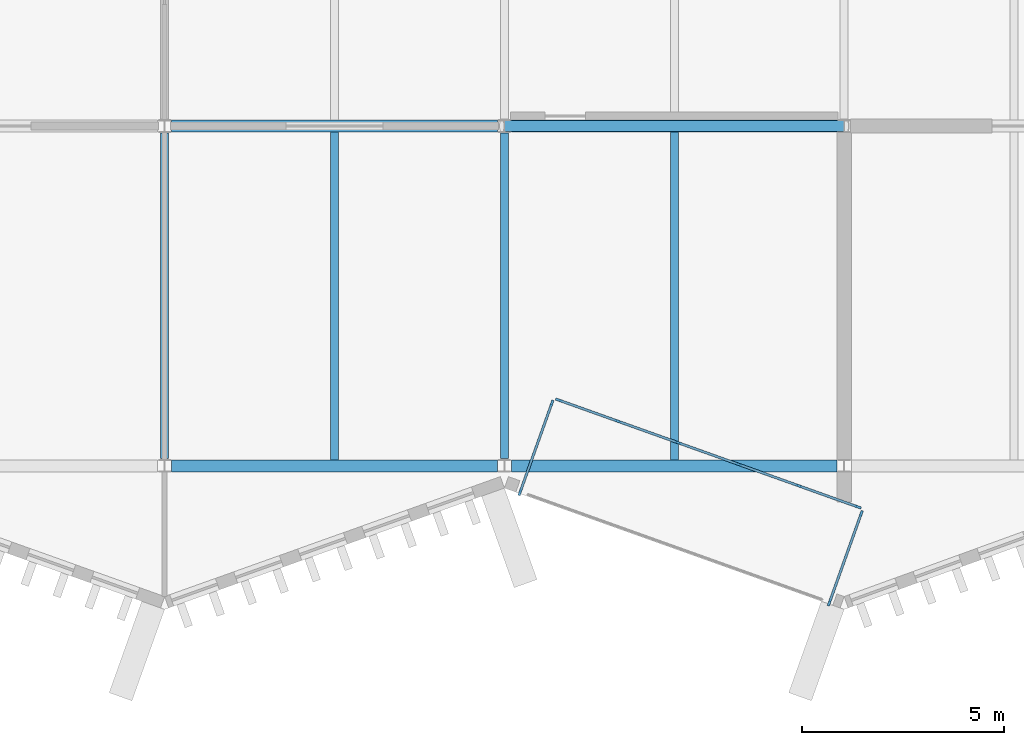
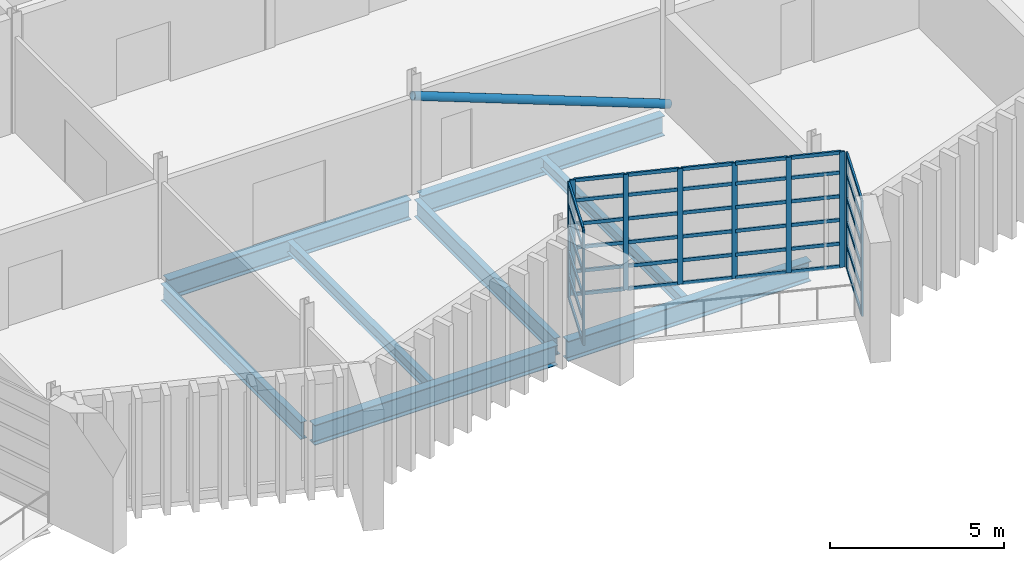
# One storey, part 16 of 100: 53 members, 8 beams, 3 elements without a shape of their own.
"""IFC4 building model written with IfcOpenShell, lengths in metres."""

from ifc_helpers import new_model, si_unit, direction, frame, origin, origin_2d, place, context, subcontext, project, spatial, rectangle, hollow_circle, i_section, extrude, material, layer, layer_set, material_profile, profile_set, type_object, element, aggregate, save


model = new_model("IFC4")

# Units and contexts
model_context = context("Model", 3, precision=1e-05, world=origin(), true_north=direction((0.0, 1.0)))
body_context = subcontext(model_context, "Body", "Model", "MODEL_VIEW")
ifc_project = project(units=[si_unit("LENGTHUNIT", "METRE"), si_unit("AREAUNIT", "SQUARE_METRE"), si_unit("VOLUMEUNIT", "CUBIC_METRE"), si_unit("PLANEANGLEUNIT", "RADIAN"), si_unit("MASSUNIT", "GRAM", prefix="KILO")], contexts=[model_context])

# Site, building, storey
site_placement = place(None, origin())
site = spatial("IfcSite", under=ifc_project, at=site_placement, CompositionType="ELEMENT")
building_placement = place(site_placement, origin())
building = spatial("IfcBuilding", under=site, at=building_placement, Name="Cresset Court Congress Hotel", CompositionType="ELEMENT")
storey_placement = place(building_placement, frame((0.0, 0.0, 10.199951171875)))
storey = spatial("IfcBuildingStorey", under=building, at=storey_placement, Name="L02", CompositionType="ELEMENT", Elevation=10.199951171875)

# Curtain wall, members
ifc_material_1 = material(Name="Aluminium frame with double glazing", Category="aluminium")
ifc_layer = layer(ifc_material_1, 0.199951171875)
ifc_layer_set = layer_set([ifc_layer], Name="Glazed box curtain wall 1680 module")
curtain_wall_type = type_object("IfcCurtainWallType", Name="Glazed box curtain wall 1680 module", PredefinedType="NOTDEFINED", material=ifc_layer_set)
curtain_wall_1_placement = place(storey_placement, origin())
curtain_wall_1 = element("IfcCurtainWall", 1, at=curtain_wall_1_placement, inside=storey, type_object=curtain_wall_type, Name="Glazed box S0207 front", PredefinedType="NOTDEFINED")
ifc_material_2 = material(Name="Aluminium", Category="aluminium")
ifc_material_profile_1 = material_profile(ifc_material_2, rectangle(XDim=0.06005859375, YDim=0.159912109375, at=origin_2d()), Name="Box mullion 60x160")
ifc_profile_set_1 = profile_set([ifc_material_profile_1], Name="Aluminium")
member_type_1 = type_object("IfcMemberType", Name="Box mullion 60x160", PredefinedType="MULLION", material=ifc_profile_set_1)
member_1_placement = place(storey_placement, frame((51.739990234375, 1.6259765625, 0.0), z_axis=(0.0, 0.0, 1.0), x_axis=(0.336336396981, 0.941741911601, 0.0)))
member_1 = element("IfcMember", 2, at=member_1_placement, type_object=member_type_1, Name="B-X1 mullion 1", PredefinedType="MULLION", context=body_context, shape_type="SweptSolid", body=[
    extrude(rectangle(XDim=0.06005859375, YDim=0.159912109375, at=origin_2d()), origin(), (0.0, 0.0, 1.0), 4.050048828125),
])
member_2_placement = place(storey_placement, frame((53.203369140625, 1.103515625, 0.0), z_axis=(0.0, 0.0, 1.0), x_axis=(0.336336396981, 0.941741911601, 0.0)))
member_2 = element("IfcMember", 3, at=member_2_placement, type_object=member_type_1, Name="B-X1 mullion 2", PredefinedType="MULLION", context=body_context, shape_type="SweptSolid", body=[
    extrude(rectangle(XDim=0.06005859375, YDim=0.159912109375, at=origin_2d()), origin(), (0.0, 0.0, 1.0), 4.050048828125),
])
member_3_placement = place(storey_placement, frame((54.695068359375, 0.57080078125, 0.0), z_axis=(0.0, 0.0, 1.0), x_axis=(0.336336396981, 0.941741911601, 0.0)))
member_3 = element("IfcMember", 4, at=member_3_placement, type_object=member_type_1, Name="B-X1 mullion 3", PredefinedType="MULLION", context=body_context, shape_type="SweptSolid", body=[
    extrude(rectangle(XDim=0.06005859375, YDim=0.159912109375, at=origin_2d()), origin(), (0.0, 0.0, 1.0), 4.050048828125),
])
member_4_placement = place(storey_placement, frame((56.186767578125, 0.0380859375, 0.0), z_axis=(0.0, 0.0, 1.0), x_axis=(0.336336396981, 0.941741911601, 0.0)))
member_4 = element("IfcMember", 5, at=member_4_placement, type_object=member_type_1, Name="B-X1 mullion 4", PredefinedType="MULLION", context=body_context, shape_type="SweptSolid", body=[
    extrude(rectangle(XDim=0.06005859375, YDim=0.159912109375, at=origin_2d()), origin(), (0.0, 0.0, 1.0), 4.050048828125),
])
member_5_placement = place(storey_placement, frame((57.67822265625, -0.49462890625, 0.0), z_axis=(0.0, 0.0, 1.0), x_axis=(0.336336396981, 0.941741911601, 0.0)))
member_5 = element("IfcMember", 6, at=member_5_placement, type_object=member_type_1, Name="B-X1 mullion 5", PredefinedType="MULLION", context=body_context, shape_type="SweptSolid", body=[
    extrude(rectangle(XDim=0.06005859375, YDim=0.159912109375, at=origin_2d()), origin(), (0.0, 0.0, 1.0), 4.050048828125),
])
member_6_placement = place(storey_placement, frame((59.1416015625, -1.017333984375, 0.0), z_axis=(0.0, 0.0, 1.0), x_axis=(0.336336396981, 0.941741911601, 0.0)))
member_6 = element("IfcMember", 7, at=member_6_placement, type_object=member_type_1, Name="B-X1 mullion 6", PredefinedType="MULLION", context=body_context, shape_type="SweptSolid", body=[
    extrude(rectangle(XDim=0.06005859375, YDim=0.159912109375, at=origin_2d()), origin(), (0.0, 0.0, 1.0), 4.050048828125),
])

curtain_wall_2_placement = place(storey_placement, origin())
curtain_wall_2 = element("IfcCurtainWall", 8, at=curtain_wall_2_placement, inside=storey, type_object=curtain_wall_type, Name="Glazed box S0207 side", PredefinedType="NOTDEFINED")
member_7_placement = place(storey_placement, frame((50.786865234375, -0.65625, 0.0), z_axis=(0.0, 0.0, 1.0), x_axis=(-0.941741911707, 0.336336396685, 0.0)))
member_7 = element("IfcMember", 9, at=member_7_placement, type_object=member_type_1, Name="B-X1 mullion 1", PredefinedType="MULLION", context=body_context, shape_type="SweptSolid", body=[
    extrude(rectangle(XDim=0.06005859375, YDim=0.159912109375, at=origin_2d()), origin(), (0.0, 0.0, 1.0), 4.050048828125),
])
member_8_placement = place(storey_placement, frame((51.57373046875, 1.54736328125, 0.0), z_axis=(0.0, 0.0, 1.0), x_axis=(-0.941741911707, 0.336336396685, 0.0)))
member_8 = element("IfcMember", 10, at=member_8_placement, type_object=member_type_1, Name="B-X1 mullion 2", PredefinedType="MULLION", context=body_context, shape_type="SweptSolid", body=[
    extrude(rectangle(XDim=0.06005859375, YDim=0.159912109375, at=origin_2d()), origin(), (0.0, 0.0, 1.0), 4.050048828125),
])

curtain_wall_3_placement = place(storey_placement, origin())
curtain_wall_3 = element("IfcCurtainWall", 11, at=curtain_wall_3_placement, inside=storey, type_object=curtain_wall_type, Name="Glazed box S0207 side", PredefinedType="NOTDEFINED")
member_9_placement = place(storey_placement, frame((58.433349609375, -3.38720703125, 0.0), z_axis=(0.0, 0.0, 1.0), x_axis=(-0.941741911578, 0.336336397047, 0.0)))
member_9 = element("IfcMember", 12, at=member_9_placement, type_object=member_type_1, Name="B-X1 mullion 1", PredefinedType="MULLION", context=body_context, shape_type="SweptSolid", body=[
    extrude(rectangle(XDim=0.06005859375, YDim=0.159912109375, at=origin_2d()), origin(), (0.0, 0.0, 1.0), 4.050048828125),
])
member_10_placement = place(storey_placement, frame((59.220458984375, -1.18359375, 0.0), z_axis=(0.0, 0.0, 1.0), x_axis=(-0.941741911578, 0.336336397047, 0.0)))
member_10 = element("IfcMember", 13, at=member_10_placement, type_object=member_type_1, Name="B-X1 mullion 2", PredefinedType="MULLION", context=body_context, shape_type="SweptSolid", body=[
    extrude(rectangle(XDim=0.06005859375, YDim=0.159912109375, at=origin_2d()), origin(), (0.0, 0.0, 1.0), 4.050048828125),
])

# Member
ifc_material_3 = material(Name="Aluminium", Category="aluminium")
ifc_material_profile_2 = material_profile(ifc_material_3, rectangle(XDim=0.06005859375, YDim=0.1201171875, at=origin_2d()), Name="Box transom 60x120")
ifc_profile_set_2 = profile_set([ifc_material_profile_2], Name="Aluminium")
member_type_2 = type_object("IfcMemberType", Name="Box transom 60x120", PredefinedType="USERDEFINED", material=ifc_profile_set_2)
member_11_placement = place(storey_placement, frame((51.768310546875, 1.615966796875, 0.030029296875), z_axis=(0.941734515945, -0.336357104098, 0.0), x_axis=(0.336357104098, 0.941734515945, 0.0)))
member_11 = element("IfcMember", 14, at=member_11_placement, type_object=member_type_2, Name="B-X1 transom 1.1", ObjectType="TRANSOM", PredefinedType="USERDEFINED", context=body_context, shape_type="SweptSolid", body=[
    extrude(rectangle(XDim=0.06005859375, YDim=0.1201171875, at=origin_2d()), origin(), (0.0, 0.0, 1.0), 1.49365234375),
])

member_12_placement = place(storey_placement, frame((51.768310546875, 1.615966796875, 0.830078125), z_axis=(0.941734515945, -0.336357104098, 0.0), x_axis=(0.336357104098, 0.941734515945, 0.0)))
member_12 = element("IfcMember", 15, at=member_12_placement, type_object=member_type_2, Name="B-X1 transom 1.2", ObjectType="TRANSOM", PredefinedType="USERDEFINED", context=body_context, shape_type="SweptSolid", body=[
    extrude(rectangle(XDim=0.06005859375, YDim=0.1201171875, at=origin_2d()), origin(), (0.0, 0.0, 1.0), 1.49365234375),
])

member_13_placement = place(storey_placement, frame((51.768310546875, 1.615966796875, 1.66015625), z_axis=(0.941734515945, -0.336357104098, 0.0), x_axis=(0.336357104098, 0.941734515945, 0.0)))
member_13 = element("IfcMember", 16, at=member_13_placement, type_object=member_type_2, Name="B-X1 transom 1.3", ObjectType="TRANSOM", PredefinedType="USERDEFINED", context=body_context, shape_type="SweptSolid", body=[
    extrude(rectangle(XDim=0.06005859375, YDim=0.1201171875, at=origin_2d()), origin(), (0.0, 0.0, 1.0), 1.49365234375),
])

member_14_placement = place(storey_placement, frame((51.768310546875, 1.615966796875, 2.489990234375), z_axis=(0.941734515945, -0.336357104098, 0.0), x_axis=(0.336357104098, 0.941734515945, 0.0)))
member_14 = element("IfcMember", 17, at=member_14_placement, type_object=member_type_2, Name="B-X1 transom 1.4", ObjectType="TRANSOM", PredefinedType="USERDEFINED", context=body_context, shape_type="SweptSolid", body=[
    extrude(rectangle(XDim=0.06005859375, YDim=0.1201171875, at=origin_2d()), origin(), (0.0, 0.0, 1.0), 1.49365234375),
])

member_15_placement = place(storey_placement, frame((51.768310546875, 1.615966796875, 3.320068359375), z_axis=(0.941734515945, -0.336357104098, 0.0), x_axis=(0.336357104098, 0.941734515945, 0.0)))
member_15 = element("IfcMember", 18, at=member_15_placement, type_object=member_type_2, Name="B-X1 transom 1.5", ObjectType="TRANSOM", PredefinedType="USERDEFINED", context=body_context, shape_type="SweptSolid", body=[
    extrude(rectangle(XDim=0.06005859375, YDim=0.1201171875, at=origin_2d()), origin(), (0.0, 0.0, 1.0), 1.49365234375),
])

member_16_placement = place(storey_placement, frame((51.768310546875, 1.615966796875, 4.02001953125), z_axis=(0.941734515945, -0.336357104098, 0.0), x_axis=(0.336357104098, 0.941734515945, 0.0)))
member_16 = element("IfcMember", 19, at=member_16_placement, type_object=member_type_2, Name="B-X1 transom 1.6", ObjectType="TRANSOM", PredefinedType="USERDEFINED", context=body_context, shape_type="SweptSolid", body=[
    extrude(rectangle(XDim=0.06005859375, YDim=0.1201171875, at=origin_2d()), origin(), (0.0, 0.0, 1.0), 1.49365234375),
])

member_17_placement = place(storey_placement, frame((53.231689453125, 1.09326171875, 0.030029296875), z_axis=(0.941756410009, -0.336295798675, 0.0), x_axis=(0.336295798675, 0.941756410009, 0.0)))
member_17 = element("IfcMember", 20, at=member_17_placement, type_object=member_type_2, Name="B-X1 transom 2.1", ObjectType="TRANSOM", PredefinedType="USERDEFINED", context=body_context, shape_type="SweptSolid", body=[
    extrude(rectangle(XDim=0.06005859375, YDim=0.1201171875, at=origin_2d()), origin(), (0.0, 0.0, 1.0), 1.52392578125),
])

member_18_placement = place(storey_placement, frame((53.231689453125, 1.09326171875, 0.830078125), z_axis=(0.941756410009, -0.336295798675, 0.0), x_axis=(0.336295798675, 0.941756410009, 0.0)))
member_18 = element("IfcMember", 21, at=member_18_placement, type_object=member_type_2, Name="B-X1 transom 2.2", ObjectType="TRANSOM", PredefinedType="USERDEFINED", context=body_context, shape_type="SweptSolid", body=[
    extrude(rectangle(XDim=0.06005859375, YDim=0.1201171875, at=origin_2d()), origin(), (0.0, 0.0, 1.0), 1.52392578125),
])

member_19_placement = place(storey_placement, frame((53.231689453125, 1.09326171875, 1.66015625), z_axis=(0.941756410009, -0.336295798675, 0.0), x_axis=(0.336295798675, 0.941756410009, 0.0)))
member_19 = element("IfcMember", 22, at=member_19_placement, type_object=member_type_2, Name="B-X1 transom 2.3", ObjectType="TRANSOM", PredefinedType="USERDEFINED", context=body_context, shape_type="SweptSolid", body=[
    extrude(rectangle(XDim=0.06005859375, YDim=0.1201171875, at=origin_2d()), origin(), (0.0, 0.0, 1.0), 1.52392578125),
])

member_20_placement = place(storey_placement, frame((53.231689453125, 1.09326171875, 2.489990234375), z_axis=(0.941756410009, -0.336295798675, 0.0), x_axis=(0.336295798675, 0.941756410009, 0.0)))
member_20 = element("IfcMember", 23, at=member_20_placement, type_object=member_type_2, Name="B-X1 transom 2.4", ObjectType="TRANSOM", PredefinedType="USERDEFINED", context=body_context, shape_type="SweptSolid", body=[
    extrude(rectangle(XDim=0.06005859375, YDim=0.1201171875, at=origin_2d()), origin(), (0.0, 0.0, 1.0), 1.52392578125),
])

member_21_placement = place(storey_placement, frame((53.231689453125, 1.09326171875, 3.320068359375), z_axis=(0.941756410009, -0.336295798675, 0.0), x_axis=(0.336295798675, 0.941756410009, 0.0)))
member_21 = element("IfcMember", 24, at=member_21_placement, type_object=member_type_2, Name="B-X1 transom 2.5", ObjectType="TRANSOM", PredefinedType="USERDEFINED", context=body_context, shape_type="SweptSolid", body=[
    extrude(rectangle(XDim=0.06005859375, YDim=0.1201171875, at=origin_2d()), origin(), (0.0, 0.0, 1.0), 1.52392578125),
])

member_22_placement = place(storey_placement, frame((53.231689453125, 1.09326171875, 4.02001953125), z_axis=(0.941756410009, -0.336295798675, 0.0), x_axis=(0.336295798675, 0.941756410009, 0.0)))
member_22 = element("IfcMember", 25, at=member_22_placement, type_object=member_type_2, Name="B-X1 transom 2.6", ObjectType="TRANSOM", PredefinedType="USERDEFINED", context=body_context, shape_type="SweptSolid", body=[
    extrude(rectangle(XDim=0.06005859375, YDim=0.1201171875, at=origin_2d()), origin(), (0.0, 0.0, 1.0), 1.52392578125),
])

member_23_placement = place(storey_placement, frame((54.723388671875, 0.560546875, 0.030029296875), z_axis=(0.941756410009, -0.336295798675, 0.0), x_axis=(0.336295798675, 0.941756410009, 0.0)))
member_23 = element("IfcMember", 26, at=member_23_placement, type_object=member_type_2, Name="B-X1 transom 3.1", ObjectType="TRANSOM", PredefinedType="USERDEFINED", context=body_context, shape_type="SweptSolid", body=[
    extrude(rectangle(XDim=0.06005859375, YDim=0.1201171875, at=origin_2d()), origin(), (0.0, 0.0, 1.0), 1.52392578125),
])

member_24_placement = place(storey_placement, frame((54.723388671875, 0.560546875, 0.830078125), z_axis=(0.941756410009, -0.336295798675, 0.0), x_axis=(0.336295798675, 0.941756410009, 0.0)))
member_24 = element("IfcMember", 27, at=member_24_placement, type_object=member_type_2, Name="B-X1 transom 3.2", ObjectType="TRANSOM", PredefinedType="USERDEFINED", context=body_context, shape_type="SweptSolid", body=[
    extrude(rectangle(XDim=0.06005859375, YDim=0.1201171875, at=origin_2d()), origin(), (0.0, 0.0, 1.0), 1.52392578125),
])

member_25_placement = place(storey_placement, frame((54.723388671875, 0.560546875, 1.66015625), z_axis=(0.941756410009, -0.336295798675, 0.0), x_axis=(0.336295798675, 0.941756410009, 0.0)))
member_25 = element("IfcMember", 28, at=member_25_placement, type_object=member_type_2, Name="B-X1 transom 3.3", ObjectType="TRANSOM", PredefinedType="USERDEFINED", context=body_context, shape_type="SweptSolid", body=[
    extrude(rectangle(XDim=0.06005859375, YDim=0.1201171875, at=origin_2d()), origin(), (0.0, 0.0, 1.0), 1.52392578125),
])

member_26_placement = place(storey_placement, frame((54.723388671875, 0.560546875, 2.489990234375), z_axis=(0.941756410009, -0.336295798675, 0.0), x_axis=(0.336295798675, 0.941756410009, 0.0)))
member_26 = element("IfcMember", 29, at=member_26_placement, type_object=member_type_2, Name="B-X1 transom 3.4", ObjectType="TRANSOM", PredefinedType="USERDEFINED", context=body_context, shape_type="SweptSolid", body=[
    extrude(rectangle(XDim=0.06005859375, YDim=0.1201171875, at=origin_2d()), origin(), (0.0, 0.0, 1.0), 1.52392578125),
])

member_27_placement = place(storey_placement, frame((54.723388671875, 0.560546875, 3.320068359375), z_axis=(0.941756410009, -0.336295798675, 0.0), x_axis=(0.336295798675, 0.941756410009, 0.0)))
member_27 = element("IfcMember", 30, at=member_27_placement, type_object=member_type_2, Name="B-X1 transom 3.5", ObjectType="TRANSOM", PredefinedType="USERDEFINED", context=body_context, shape_type="SweptSolid", body=[
    extrude(rectangle(XDim=0.06005859375, YDim=0.1201171875, at=origin_2d()), origin(), (0.0, 0.0, 1.0), 1.52392578125),
])

member_28_placement = place(storey_placement, frame((54.723388671875, 0.560546875, 4.02001953125), z_axis=(0.941756410009, -0.336295798675, 0.0), x_axis=(0.336295798675, 0.941756410009, 0.0)))
member_28 = element("IfcMember", 31, at=member_28_placement, type_object=member_type_2, Name="B-X1 transom 3.6", ObjectType="TRANSOM", PredefinedType="USERDEFINED", context=body_context, shape_type="SweptSolid", body=[
    extrude(rectangle(XDim=0.06005859375, YDim=0.1201171875, at=origin_2d()), origin(), (0.0, 0.0, 1.0), 1.52392578125),
])

member_29_placement = place(storey_placement, frame((56.21484375, 0.02783203125, 0.030029296875), z_axis=(0.941774525646, -0.336245063673, 0.0), x_axis=(0.336245063673, 0.941774525646, 0.0)))
member_29 = element("IfcMember", 32, at=member_29_placement, type_object=member_type_2, Name="B-X1 transom 4.1", ObjectType="TRANSOM", PredefinedType="USERDEFINED", context=body_context, shape_type="SweptSolid", body=[
    extrude(rectangle(XDim=0.06005859375, YDim=0.1201171875, at=origin_2d()), origin(), (0.0, 0.0, 1.0), 1.52392578125),
])

member_30_placement = place(storey_placement, frame((56.21484375, 0.02783203125, 0.830078125), z_axis=(0.941774525646, -0.336245063673, 0.0), x_axis=(0.336245063673, 0.941774525646, 0.0)))
member_30 = element("IfcMember", 33, at=member_30_placement, type_object=member_type_2, Name="B-X1 transom 4.2", ObjectType="TRANSOM", PredefinedType="USERDEFINED", context=body_context, shape_type="SweptSolid", body=[
    extrude(rectangle(XDim=0.06005859375, YDim=0.1201171875, at=origin_2d()), origin(), (0.0, 0.0, 1.0), 1.52392578125),
])

member_31_placement = place(storey_placement, frame((56.21484375, 0.02783203125, 1.66015625), z_axis=(0.941774525646, -0.336245063673, 0.0), x_axis=(0.336245063673, 0.941774525646, 0.0)))
member_31 = element("IfcMember", 34, at=member_31_placement, type_object=member_type_2, Name="B-X1 transom 4.3", ObjectType="TRANSOM", PredefinedType="USERDEFINED", context=body_context, shape_type="SweptSolid", body=[
    extrude(rectangle(XDim=0.06005859375, YDim=0.1201171875, at=origin_2d()), origin(), (0.0, 0.0, 1.0), 1.52392578125),
])

member_32_placement = place(storey_placement, frame((56.21484375, 0.02783203125, 2.489990234375), z_axis=(0.941774525646, -0.336245063673, 0.0), x_axis=(0.336245063673, 0.941774525646, 0.0)))
member_32 = element("IfcMember", 35, at=member_32_placement, type_object=member_type_2, Name="B-X1 transom 4.4", ObjectType="TRANSOM", PredefinedType="USERDEFINED", context=body_context, shape_type="SweptSolid", body=[
    extrude(rectangle(XDim=0.06005859375, YDim=0.1201171875, at=origin_2d()), origin(), (0.0, 0.0, 1.0), 1.52392578125),
])

member_33_placement = place(storey_placement, frame((56.21484375, 0.02783203125, 3.320068359375), z_axis=(0.941774525646, -0.336245063673, 0.0), x_axis=(0.336245063673, 0.941774525646, 0.0)))
member_33 = element("IfcMember", 36, at=member_33_placement, type_object=member_type_2, Name="B-X1 transom 4.5", ObjectType="TRANSOM", PredefinedType="USERDEFINED", context=body_context, shape_type="SweptSolid", body=[
    extrude(rectangle(XDim=0.06005859375, YDim=0.1201171875, at=origin_2d()), origin(), (0.0, 0.0, 1.0), 1.52392578125),
])

member_34_placement = place(storey_placement, frame((56.21484375, 0.02783203125, 4.02001953125), z_axis=(0.941774525646, -0.336245063673, 0.0), x_axis=(0.336245063673, 0.941774525646, 0.0)))
member_34 = element("IfcMember", 37, at=member_34_placement, type_object=member_type_2, Name="B-X1 transom 4.6", ObjectType="TRANSOM", PredefinedType="USERDEFINED", context=body_context, shape_type="SweptSolid", body=[
    extrude(rectangle(XDim=0.06005859375, YDim=0.1201171875, at=origin_2d()), origin(), (0.0, 0.0, 1.0), 1.52392578125),
])

member_35_placement = place(storey_placement, frame((57.70654296875, -0.5048828125, 0.030029296875), z_axis=(0.941753002509, -0.336305340823, 0.0), x_axis=(0.336305340823, 0.941753002509, 0.0)))
member_35 = element("IfcMember", 38, at=member_35_placement, type_object=member_type_2, Name="B-X1 transom 5.1", ObjectType="TRANSOM", PredefinedType="USERDEFINED", context=body_context, shape_type="SweptSolid", body=[
    extrude(rectangle(XDim=0.06005859375, YDim=0.1201171875, at=origin_2d()), origin(), (0.0, 0.0, 1.0), 1.493896484375),
])

member_36_placement = place(storey_placement, frame((57.70654296875, -0.5048828125, 0.830078125), z_axis=(0.941753002509, -0.336305340823, 0.0), x_axis=(0.336305340823, 0.941753002509, 0.0)))
member_36 = element("IfcMember", 39, at=member_36_placement, type_object=member_type_2, Name="B-X1 transom 5.2", ObjectType="TRANSOM", PredefinedType="USERDEFINED", context=body_context, shape_type="SweptSolid", body=[
    extrude(rectangle(XDim=0.06005859375, YDim=0.1201171875, at=origin_2d()), origin(), (0.0, 0.0, 1.0), 1.493896484375),
])

member_37_placement = place(storey_placement, frame((57.70654296875, -0.5048828125, 1.66015625), z_axis=(0.941753002509, -0.336305340823, 0.0), x_axis=(0.336305340823, 0.941753002509, 0.0)))
member_37 = element("IfcMember", 40, at=member_37_placement, type_object=member_type_2, Name="B-X1 transom 5.3", ObjectType="TRANSOM", PredefinedType="USERDEFINED", context=body_context, shape_type="SweptSolid", body=[
    extrude(rectangle(XDim=0.06005859375, YDim=0.1201171875, at=origin_2d()), origin(), (0.0, 0.0, 1.0), 1.493896484375),
])

member_38_placement = place(storey_placement, frame((57.70654296875, -0.5048828125, 2.489990234375), z_axis=(0.941753002509, -0.336305340823, 0.0), x_axis=(0.336305340823, 0.941753002509, 0.0)))
member_38 = element("IfcMember", 41, at=member_38_placement, type_object=member_type_2, Name="B-X1 transom 5.4", ObjectType="TRANSOM", PredefinedType="USERDEFINED", context=body_context, shape_type="SweptSolid", body=[
    extrude(rectangle(XDim=0.06005859375, YDim=0.1201171875, at=origin_2d()), origin(), (0.0, 0.0, 1.0), 1.493896484375),
])

member_39_placement = place(storey_placement, frame((57.70654296875, -0.5048828125, 3.320068359375), z_axis=(0.941753002509, -0.336305340823, 0.0), x_axis=(0.336305340823, 0.941753002509, 0.0)))
member_39 = element("IfcMember", 42, at=member_39_placement, type_object=member_type_2, Name="B-X1 transom 5.5", ObjectType="TRANSOM", PredefinedType="USERDEFINED", context=body_context, shape_type="SweptSolid", body=[
    extrude(rectangle(XDim=0.06005859375, YDim=0.1201171875, at=origin_2d()), origin(), (0.0, 0.0, 1.0), 1.493896484375),
])

member_40_placement = place(storey_placement, frame((57.70654296875, -0.5048828125, 4.02001953125), z_axis=(0.941753002509, -0.336305340823, 0.0), x_axis=(0.336305340823, 0.941753002509, 0.0)))
member_40 = element("IfcMember", 43, at=member_40_placement, type_object=member_type_2, Name="B-X1 transom 5.6", ObjectType="TRANSOM", PredefinedType="USERDEFINED", context=body_context, shape_type="SweptSolid", body=[
    extrude(rectangle(XDim=0.06005859375, YDim=0.1201171875, at=origin_2d()), origin(), (0.0, 0.0, 1.0), 1.493896484375),
])

aggregate(curtain_wall_1, [member_1, member_2, member_3, member_4, member_5, member_6, member_11, member_12, member_13, member_14, member_15, member_16, member_17, member_18, member_19, member_20, member_21, member_22, member_23, member_24, member_25, member_26, member_27, member_28, member_29, member_30, member_31, member_32, member_33, member_34, member_35, member_36, member_37, member_38, member_39, member_40])

member_41_placement = place(storey_placement, frame((50.796875, -0.6279296875, 0.030029296875), z_axis=(0.336363532289, 0.941732219979, 0.0), x_axis=(-0.941732219979, 0.336363532289, 0.0)))
member_41 = element("IfcMember", 44, at=member_41_placement, type_object=member_type_2, Name="B-X1 transom 1.1", ObjectType="TRANSOM", PredefinedType="USERDEFINED", context=body_context, shape_type="SweptSolid", body=[
    extrude(rectangle(XDim=0.06005859375, YDim=0.1201171875, at=origin_2d()), origin(), (0.0, 0.0, 1.0), 2.27978515625),
])

member_42_placement = place(storey_placement, frame((50.796875, -0.6279296875, 0.830078125), z_axis=(0.336363532289, 0.941732219979, 0.0), x_axis=(-0.941732219979, 0.336363532289, 0.0)))
member_42 = element("IfcMember", 45, at=member_42_placement, type_object=member_type_2, Name="B-X1 transom 1.2", ObjectType="TRANSOM", PredefinedType="USERDEFINED", context=body_context, shape_type="SweptSolid", body=[
    extrude(rectangle(XDim=0.06005859375, YDim=0.1201171875, at=origin_2d()), origin(), (0.0, 0.0, 1.0), 2.27978515625),
])

member_43_placement = place(storey_placement, frame((50.796875, -0.6279296875, 1.66015625), z_axis=(0.336363532289, 0.941732219979, 0.0), x_axis=(-0.941732219979, 0.336363532289, 0.0)))
member_43 = element("IfcMember", 46, at=member_43_placement, type_object=member_type_2, Name="B-X1 transom 1.3", ObjectType="TRANSOM", PredefinedType="USERDEFINED", context=body_context, shape_type="SweptSolid", body=[
    extrude(rectangle(XDim=0.06005859375, YDim=0.1201171875, at=origin_2d()), origin(), (0.0, 0.0, 1.0), 2.27978515625),
])

member_44_placement = place(storey_placement, frame((50.796875, -0.6279296875, 2.489990234375), z_axis=(0.336363532289, 0.941732219979, 0.0), x_axis=(-0.941732219979, 0.336363532289, 0.0)))
member_44 = element("IfcMember", 47, at=member_44_placement, type_object=member_type_2, Name="B-X1 transom 1.4", ObjectType="TRANSOM", PredefinedType="USERDEFINED", context=body_context, shape_type="SweptSolid", body=[
    extrude(rectangle(XDim=0.06005859375, YDim=0.1201171875, at=origin_2d()), origin(), (0.0, 0.0, 1.0), 2.27978515625),
])

member_45_placement = place(storey_placement, frame((50.796875, -0.6279296875, 3.320068359375), z_axis=(0.336363532289, 0.941732219979, 0.0), x_axis=(-0.941732219979, 0.336363532289, 0.0)))
member_45 = element("IfcMember", 48, at=member_45_placement, type_object=member_type_2, Name="B-X1 transom 1.5", ObjectType="TRANSOM", PredefinedType="USERDEFINED", context=body_context, shape_type="SweptSolid", body=[
    extrude(rectangle(XDim=0.06005859375, YDim=0.1201171875, at=origin_2d()), origin(), (0.0, 0.0, 1.0), 2.27978515625),
])

member_46_placement = place(storey_placement, frame((50.796875, -0.6279296875, 4.02001953125), z_axis=(0.336363532289, 0.941732219979, 0.0), x_axis=(-0.941732219979, 0.336363532289, 0.0)))
member_46 = element("IfcMember", 49, at=member_46_placement, type_object=member_type_2, Name="B-X1 transom 1.6", ObjectType="TRANSOM", PredefinedType="USERDEFINED", context=body_context, shape_type="SweptSolid", body=[
    extrude(rectangle(XDim=0.06005859375, YDim=0.1201171875, at=origin_2d()), origin(), (0.0, 0.0, 1.0), 2.27978515625),
])

aggregate(curtain_wall_2, [member_7, member_8, member_41, member_42, member_43, member_44, member_45, member_46])

member_47_placement = place(storey_placement, frame((58.443603515625, -3.35888671875, 0.030029296875), z_axis=(0.336329613816, 0.941744334132, 0.0), x_axis=(-0.941744334132, 0.336329613816, 0.0)))
member_47 = element("IfcMember", 50, at=member_47_placement, type_object=member_type_2, Name="B-X1 transom 1.1", ObjectType="TRANSOM", PredefinedType="USERDEFINED", context=body_context, shape_type="SweptSolid", body=[
    extrude(rectangle(XDim=0.06005859375, YDim=0.1201171875, at=origin_2d()), origin(), (0.0, 0.0, 1.0), 2.280029296875),
])

member_48_placement = place(storey_placement, frame((58.443603515625, -3.35888671875, 0.830078125), z_axis=(0.336329613816, 0.941744334132, 0.0), x_axis=(-0.941744334132, 0.336329613816, 0.0)))
member_48 = element("IfcMember", 51, at=member_48_placement, type_object=member_type_2, Name="B-X1 transom 1.2", ObjectType="TRANSOM", PredefinedType="USERDEFINED", context=body_context, shape_type="SweptSolid", body=[
    extrude(rectangle(XDim=0.06005859375, YDim=0.1201171875, at=origin_2d()), origin(), (0.0, 0.0, 1.0), 2.280029296875),
])

member_49_placement = place(storey_placement, frame((58.443603515625, -3.35888671875, 1.66015625), z_axis=(0.336329613816, 0.941744334132, 0.0), x_axis=(-0.941744334132, 0.336329613816, 0.0)))
member_49 = element("IfcMember", 52, at=member_49_placement, type_object=member_type_2, Name="B-X1 transom 1.3", ObjectType="TRANSOM", PredefinedType="USERDEFINED", context=body_context, shape_type="SweptSolid", body=[
    extrude(rectangle(XDim=0.06005859375, YDim=0.1201171875, at=origin_2d()), origin(), (0.0, 0.0, 1.0), 2.280029296875),
])

member_50_placement = place(storey_placement, frame((58.443603515625, -3.35888671875, 2.489990234375), z_axis=(0.336329613816, 0.941744334132, 0.0), x_axis=(-0.941744334132, 0.336329613816, 0.0)))
member_50 = element("IfcMember", 53, at=member_50_placement, type_object=member_type_2, Name="B-X1 transom 1.4", ObjectType="TRANSOM", PredefinedType="USERDEFINED", context=body_context, shape_type="SweptSolid", body=[
    extrude(rectangle(XDim=0.06005859375, YDim=0.1201171875, at=origin_2d()), origin(), (0.0, 0.0, 1.0), 2.280029296875),
])

member_51_placement = place(storey_placement, frame((58.443603515625, -3.35888671875, 3.320068359375), z_axis=(0.336329613816, 0.941744334132, 0.0), x_axis=(-0.941744334132, 0.336329613816, 0.0)))
member_51 = element("IfcMember", 54, at=member_51_placement, type_object=member_type_2, Name="B-X1 transom 1.5", ObjectType="TRANSOM", PredefinedType="USERDEFINED", context=body_context, shape_type="SweptSolid", body=[
    extrude(rectangle(XDim=0.06005859375, YDim=0.1201171875, at=origin_2d()), origin(), (0.0, 0.0, 1.0), 2.280029296875),
])

member_52_placement = place(storey_placement, frame((58.443603515625, -3.35888671875, 4.02001953125), z_axis=(0.336329613816, 0.941744334132, 0.0), x_axis=(-0.941744334132, 0.336329613816, 0.0)))
member_52 = element("IfcMember", 55, at=member_52_placement, type_object=member_type_2, Name="B-X1 transom 1.6", ObjectType="TRANSOM", PredefinedType="USERDEFINED", context=body_context, shape_type="SweptSolid", body=[
    extrude(rectangle(XDim=0.06005859375, YDim=0.1201171875, at=origin_2d()), origin(), (0.0, 0.0, 1.0), 2.280029296875),
])

aggregate(curtain_wall_3, [member_9, member_10, member_47, member_48, member_49, member_50, member_51, member_52])

# Beams
ifc_material_4 = material(Name="Structural steel Q355B", Category="steel")
ifc_material_profile_3 = material_profile(ifc_material_4, i_section(OverallWidth=0.199951171875, OverallDepth=0.60009765625, WebThickness=0.010986328125, FlangeThickness=0.01708984375, FilletRadius=0.012939453125, at=origin_2d()), Name="HN600x200x11x17")
ifc_profile_set_3 = profile_set([ifc_material_profile_3], Name="Structural steel Q355B")
beam_type_1 = type_object("IfcBeamType", Name="Steel beam HN600x200x11x17", PredefinedType="BEAM", material=ifc_profile_set_3)
for number, where, z_axis, x_axis, name in (
    (56, (42.0, 0.175048828125, -0.449951171875), (0.0, 1.0, 0.0), (-1.0, 0.0, 0.0), "B.by.L02.06A"),
    (57, (50.39990234375, 0.175048828125, -0.449951171875), (0.0, 1.0, 0.0), (-1.0, 0.0, 0.0), "B.by.L02.07A"),
):
    element("IfcBeam", number, at=place(storey_placement, frame(where, z_axis=z_axis, x_axis=x_axis)), inside=storey, type_object=beam_type_1, Name=name, PredefinedType="BEAM", context=body_context, shape_type="SweptSolid", body=[
        extrude(i_section(OverallWidth=0.199951171875, OverallDepth=0.60009765625, WebThickness=0.010986328125, FlangeThickness=0.01708984375, FilletRadius=0.012939453125, at=origin_2d()), origin(), (0.0, 0.0, 1.0), 8.050048828125),
    ])
ifc_material_5 = material(Name="Structural steel Q355B", Category="steel")
ifc_material_profile_4 = material_profile(ifc_material_5, i_section(OverallWidth=0.300048828125, OverallDepth=0.699951171875, WebThickness=0.012939453125, FlangeThickness=0.02392578125, FilletRadius=0.01806640625, at=origin_2d()), Name="HN700x300x13x24")
ifc_profile_set_4 = profile_set([ifc_material_profile_4], Name="Structural steel Q355B")
beam_type_2 = type_object("IfcBeamType", Name="Steel beam HN700x300x13x24", PredefinedType="BEAM", material=ifc_profile_set_4)
for number, where, z_axis, x_axis, name in (
    (58, (42.175048828125, 0.0, -0.5), (1.0, 0.0, 0.0), (0.0, 1.0, 0.0), "B.bx.L02.A06"),
    (59, (50.574951171875, 0.0, -0.5), (1.0, 0.0, 0.0), (0.0, 1.0, 0.0), "B.bx.L02.A07"),
    (60, (42.175048828125, 8.39990234375, -0.5), (1.0, 0.0, 0.0), (0.0, 1.0, 0.0), "B.bx.L02.B06"),
    (61, (50.574951171875, 8.39990234375, -0.5), (1.0, 0.0, 0.0), (0.0, 1.0, 0.0), "B.bx.L02.B07"),
):
    element("IfcBeam", number, at=place(storey_placement, frame(where, z_axis=z_axis, x_axis=x_axis)), inside=storey, type_object=beam_type_2, Name=name, PredefinedType="BEAM", context=body_context, shape_type="SweptSolid", body=[
        extrude(i_section(OverallWidth=0.300048828125, OverallDepth=0.699951171875, WebThickness=0.012939453125, FlangeThickness=0.02392578125, FilletRadius=0.01806640625, at=origin_2d()), origin(), (0.0, 0.0, 1.0), 8.050048828125),
    ])

# Member
ifc_material_6 = material(Name="Structural steel Q355B", Category="steel")
ifc_material_profile_5 = material_profile(ifc_material_6, hollow_circle(Radius=0.136474609375, WallThickness=0.011962890625, at=origin_2d()), Name="CHS273x12")
ifc_profile_set_5 = profile_set([ifc_material_profile_5], Name="Structural steel Q355B")
member_type_3 = type_object("IfcMemberType", Name="Steel brace CHS273x12", PredefinedType="BRACE", material=ifc_profile_set_5)
member_53_placement = place(storey_placement, frame((50.35009765625, 8.39990234375, 3.360107421875), z_axis=(0.933684557266, 0.0, -0.35809656173), x_axis=(0.0, 1.0, 0.0)))
element("IfcMember", 62, at=member_53_placement, inside=storey, type_object=member_type_3, Name="Brace L02 7", PredefinedType="BRACE", context=body_context, shape_type="SweptSolid", body=[
    extrude(hollow_circle(Radius=0.136474609375, WallThickness=0.011962890625, at=origin_2d()), origin(), (0.0, 0.0, 1.0), 9.103759765625),
])

# Beams
ifc_material_7 = material(Name="Structural steel Q355B", Category="steel")
ifc_material_profile_6 = material_profile(ifc_material_7, i_section(OverallWidth=0.199951171875, OverallDepth=0.39990234375, WebThickness=0.008056640625, FlangeThickness=0.012939453125, FilletRadius=0.01611328125, at=origin_2d()), Name="HN400x200x8x13")
ifc_profile_set_6 = profile_set([ifc_material_profile_6], Name="Structural steel Q355B")
beam_type_3 = type_object("IfcBeamType", Name="Steel joist HN400x200x8x13", PredefinedType="JOIST", material=ifc_profile_set_6)
for number, where, z_axis, x_axis, name in (
    (63, (46.199951171875, 0.14990234375, -0.349853515625), (0.0, 1.0, 0.0), (-1.0, 0.0, 0.0), "B.bj.L02.06A"),
    (64, (54.60009765625, 0.14990234375, -0.349853515625), (0.0, 1.0, 0.0), (-1.0, 0.0, 0.0), "B.bj.L02.07A"),
):
    element("IfcBeam", number, at=place(storey_placement, frame(where, z_axis=z_axis, x_axis=x_axis)), inside=storey, type_object=beam_type_3, Name=name, PredefinedType="JOIST", context=body_context, shape_type="SweptSolid", body=[
        extrude(i_section(OverallWidth=0.199951171875, OverallDepth=0.39990234375, WebThickness=0.008056640625, FlangeThickness=0.012939453125, FilletRadius=0.01611328125, at=origin_2d()), origin(), (0.0, 0.0, 1.0), 8.10009765625),
    ])

save(model, "model.ifc")
